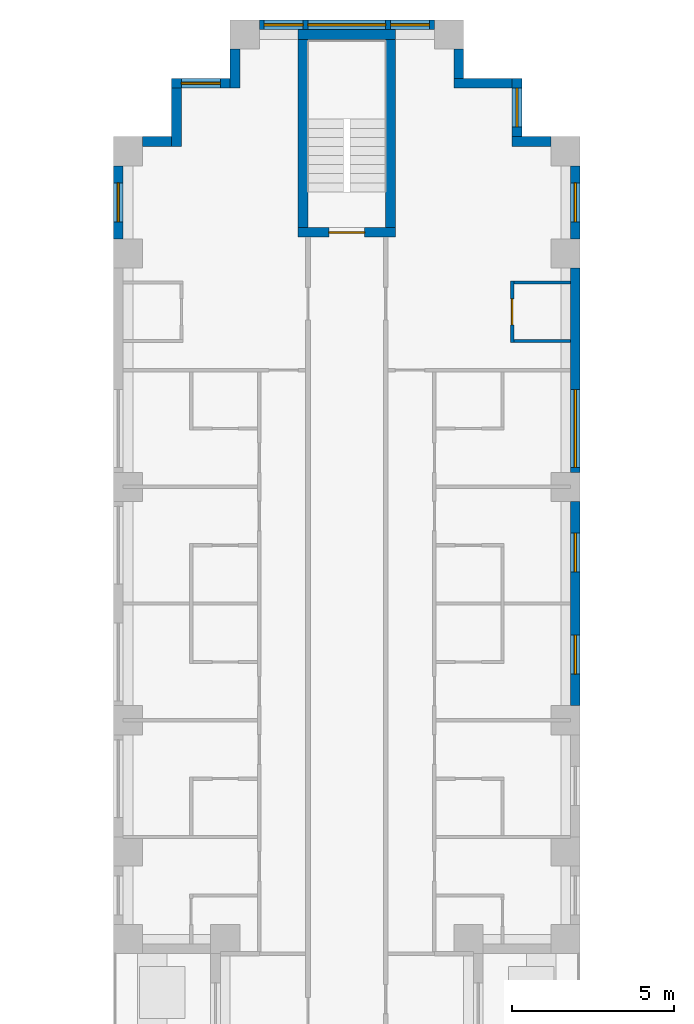
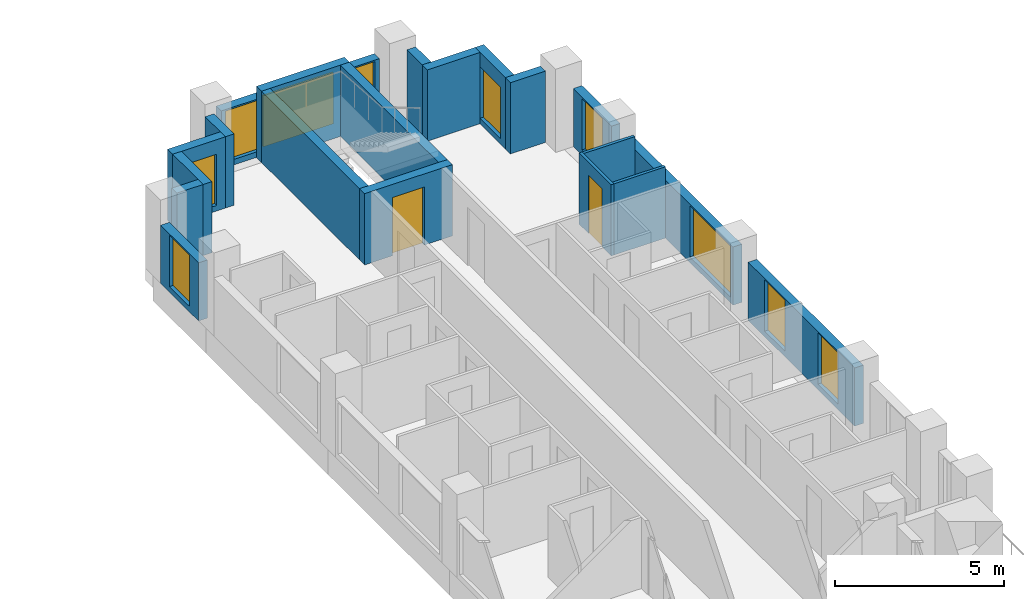
# One storey, part 12 of 15: 20 walls, 10 windows, 2 doors, 12 openings.
"""IFC4 building model written with IfcOpenShell, lengths in metres."""

from ifc_helpers import new_model, si_unit, direction, frame, frame_2d, origin, place, context, subcontext, project, spatial, rectangle, extrude, material, layer, layer_set, type_object, element, fill, save


model = new_model("IFC4")

# Units and contexts
model_context = context("Model", 3, precision=1e-05, world=origin(), true_north=direction((0.0, 1.0)))
body_context = subcontext(model_context, "Body", "Model", "MODEL_VIEW")
ifc_project = project(units=[si_unit("LENGTHUNIT", "METRE"), si_unit("AREAUNIT", "SQUARE_METRE"), si_unit("VOLUMEUNIT", "CUBIC_METRE"), si_unit("PLANEANGLEUNIT", "RADIAN"), si_unit("MASSUNIT", "GRAM", prefix="KILO")], contexts=[model_context])

# Site, building, storey
site_placement = place(None, origin())
site = spatial("IfcSite", under=ifc_project, at=site_placement, CompositionType="ELEMENT")
building_placement = place(site_placement, origin())
building = spatial("IfcBuilding", under=site, at=building_placement, Name="Fustian Cross Tower", CompositionType="ELEMENT")
storey_placement = place(building_placement, frame((0.0, 0.0, 17.699951171875)))
storey = spatial("IfcBuildingStorey", under=building, at=storey_placement, Name="L04", CompositionType="ELEMENT", Elevation=17.699951171875)

# Wall, opening, door
ifc_material_1 = material(Name="Plasterboard on steel stud", Category="steel")
ifc_layer_1 = layer(ifc_material_1, 0.10009765625)
ifc_layer_set_1 = layer_set([ifc_layer_1], Name="Plasterboard on steel stud")
wall_type_1 = type_object("IfcWallType", Name="PARTITION 100 STUD", PredefinedType="PARTITIONING", material=ifc_layer_set_1)
wall_1_placement = place(storey_placement, frame((5.10009765625, 33.25, 0.0), z_axis=(0.0, 0.0, 1.0), x_axis=(0.0, 1.0, 0.0)))
wall_1 = element("IfcWall", 1, at=wall_1_placement, inside=storey, type_object=wall_type_1, Name="Partition 95", PredefinedType="PARTITIONING", context=body_context, shape_type="SweptSolid", body=[
    extrude(rectangle(XDim=1.89990234375, YDim=0.10009765625, at=frame_2d((0.949951171875, 0.0))), origin(), (0.0, 0.0, 1.0), 2.574951171875),
])
opening_1_placement = place(wall_1_placement, frame((0.550048828125, 0.0, 0.0)))
opening_1 = element("IfcOpeningElement", 2, at=opening_1_placement, cuts=wall_1, Name="Opening D04035", PredefinedType="OPENING", context=body_context, shape_type="SweptSolid", body=[
    extrude(rectangle(XDim=0.800048828125, YDim=2.10009765625, at=frame_2d((0.39990234375, 1.050048828125))), frame((0.0, 0.06005859375, 0.0), z_axis=(0.0, -1.0, 0.0), x_axis=(1.0, 0.0, 0.0)), (0.0, 0.0, 1.0), 0.1201171875),
])
ifc_material_2 = material(Name="Painted timber", Category="wood")
door_type_1 = type_object("IfcDoorType", Name="SWING DOOR 800", OperationType="SINGLE_SWING_LEFT", PredefinedType="DOOR", material=ifc_material_2)
door_1_placement = place(opening_1_placement, frame((0.800048828125, 0.0, 0.0), z_axis=(0.0, 0.0, 1.0), x_axis=(-1.0, 0.0, 0.0)))
door_1 = element("IfcDoor", 3, at=door_1_placement, inside=storey, type_object=door_type_1, Name="Door D04035", OperationType="SINGLE_SWING_LEFT", OverallHeight=2.10009765625, OverallWidth=0.800048828125, PredefinedType="DOOR", context=body_context, shape_type="SweptSolid", body=[
    extrude(rectangle(XDim=0.800048828125, YDim=2.10009765625, at=frame_2d((0.39990234375, 1.050048828125))), frame((0.0, 0.02490234375, 0.0), z_axis=(0.0, -1.0, 0.0), x_axis=(1.0, 0.0, 0.0)), (0.0, 0.0, 1.0), 0.050048828125),
])
fill(opening_1, door_1)

# Walls
for number, where, z_axis, x_axis, name in (
    (4, (5.14990234375, 33.300048828125, 0.0), (0.0, 0.0, 1.0), (1.0, 0.0, 0.0), "Partition 96"),
    (5, (5.14990234375, 35.10009765625, 0.0), (0.0, 0.0, 1.0), (1.0, 0.0, 0.0), "Partition 97"),
):
    element("IfcWall", number, at=place(storey_placement, frame(where, z_axis=z_axis, x_axis=x_axis)), inside=storey, type_object=wall_type_1, Name=name, PredefinedType="PARTITIONING", context=body_context, shape_type="SweptSolid", body=[
        extrude(rectangle(XDim=1.75, YDim=0.10009765625, at=frame_2d((0.875, 0.0))), origin(), (0.0, 0.0, 1.0), 2.574951171875),
    ])

# Wall, opening, door
ifc_material_3 = material(Name="Concrete C50/60", Category="concrete")
ifc_layer_2 = layer(ifc_material_3, 0.300048828125)
ifc_layer_set_2 = layer_set([ifc_layer_2], Name="Concrete C50/60")
wall_type_2 = type_object("IfcWallType", Name="STAIR ENCLOSURE WALL 300 C50/60", PredefinedType="SHEAR", material=ifc_layer_set_2)
wall_2_placement = place(storey_placement, frame((-1.5, 36.64990234375, 0.0), z_axis=(0.0, 0.0, 1.0), x_axis=(1.0, 0.0, 0.0)))
wall_2 = element("IfcWall", 6, at=wall_2_placement, inside=storey, type_object=wall_type_2, Name="Stair enclosure wall", PredefinedType="SHEAR", context=body_context, shape_type="SweptSolid", body=[
    extrude(rectangle(XDim=3.0, YDim=0.300048828125, at=frame_2d((1.5, 0.0))), origin(), (0.0, 0.0, 1.0), 2.574951171875),
])
opening_2_placement = place(wall_2_placement, frame((0.949951171875, 0.0, 0.0)))
opening_2 = element("IfcOpeningElement", 7, at=opening_2_placement, cuts=wall_2, Name="Opening CD-04-29", PredefinedType="OPENING", context=body_context, shape_type="SweptSolid", body=[
    extrude(rectangle(XDim=1.10009765625, YDim=2.10009765625, at=frame_2d((0.550048828125, 1.050048828125))), frame((0.0, 0.159912109375, 0.0), z_axis=(0.0, -1.0, 0.0), x_axis=(1.0, 0.0, 0.0)), (0.0, 0.0, 1.0), 0.320068359375),
])
ifc_material_4 = material(Name="Steel", Category="steel")
door_type_2 = type_object("IfcDoorType", Name="FIRE DOOR FD60S 1100X2100", OperationType="SINGLE_SWING_LEFT", PredefinedType="DOOR", material=ifc_material_4)
door_2_placement = place(opening_2_placement, origin())
door_2 = element("IfcDoor", 8, at=door_2_placement, inside=storey, type_object=door_type_2, Name="Core door CD-04-29", OperationType="SINGLE_SWING_LEFT", OverallHeight=2.10009765625, OverallWidth=1.10009765625, PredefinedType="DOOR", context=body_context, shape_type="SweptSolid", body=[
    extrude(rectangle(XDim=1.10009765625, YDim=2.10009765625, at=frame_2d((0.550048828125, 1.050048828125))), frame((0.0, 0.02490234375, 0.0), z_axis=(0.0, -1.0, 0.0), x_axis=(1.0, 0.0, 0.0)), (0.0, 0.0, 1.0), 0.050048828125),
])
fill(opening_2, door_2)

# Walls
wall_3_placement = place(storey_placement, frame((-1.5, 42.75, 0.0), z_axis=(0.0, 0.0, 1.0), x_axis=(1.0, 0.0, 0.0)))
element("IfcWall", 9, at=wall_3_placement, inside=storey, type_object=wall_type_2, Name="Stair enclosure wall", PredefinedType="SHEAR", context=body_context, shape_type="SweptSolid", body=[
    extrude(rectangle(XDim=3.0, YDim=0.300048828125, at=frame_2d((1.5, 0.0))), origin(), (0.0, 0.0, 1.0), 2.574951171875),
])
for number, where, z_axis, x_axis, name in (
    (10, (-1.35009765625, 36.800048828125, 0.0), (0.0, 0.0, 1.0), (0.0, 1.0, 0.0), "Stair enclosure wall"),
    (11, (1.35009765625, 36.800048828125, 0.0), (0.0, 0.0, 1.0), (0.0, 1.0, 0.0), "Stair enclosure wall"),
):
    element("IfcWall", number, at=place(storey_placement, frame(where, z_axis=z_axis, x_axis=x_axis)), inside=storey, type_object=wall_type_2, Name=name, PredefinedType="SHEAR", context=body_context, shape_type="SweptSolid", body=[
        extrude(rectangle(XDim=5.800048828125, YDim=0.300048828125, at=frame_2d((2.89990234375, 0.0))), origin(), (0.0, 0.0, 1.0), 2.574951171875),
    ])

# Wall, openings, windows
ifc_material_5 = material(Name="Dark aluminium cladding on insulated backing wall", Category="aluminium")
ifc_layer_3 = layer(ifc_material_5, 0.300048828125)
ifc_layer_set_3 = layer_set([ifc_layer_3], Name="Dark aluminium cladding on insulated backing wall")
wall_type_3 = type_object("IfcWallType", Name="XW1 EXTERNAL WALL 300", PredefinedType="SOLIDWALL", material=ifc_layer_set_3)
wall_4_placement = place(storey_placement, frame((7.050048828125, 22.050048828125, 0.0), z_axis=(0.0, 0.0, 1.0), x_axis=(0.0, 1.0, 0.0)))
wall_4 = element("IfcWall", 12, at=wall_4_placement, inside=storey, type_object=wall_type_3, Name="External wall", PredefinedType="SOLIDWALL", context=body_context, shape_type="SweptSolid", body=[
    extrude(rectangle(XDim=6.300048828125, YDim=0.300048828125, at=frame_2d((3.14990234375, 0.0))), origin(), (0.0, 0.0, 1.0), 2.10009765625),
])
opening_3_placement = place(wall_4_placement, frame((0.97509765625, 0.0, 0.199951171875)))
opening_3 = element("IfcOpeningElement", 13, at=opening_3_placement, cuts=wall_4, Name="Opening WN3", PredefinedType="OPENING", context=body_context, shape_type="SweptSolid", body=[
    extrude(rectangle(XDim=1.199951171875, YDim=1.85009765625, at=frame_2d((0.60009765625, 0.925048828125))), frame((0.0, 0.159912109375, 0.0), z_axis=(0.0, -1.0, 0.0), x_axis=(1.0, 0.0, 0.0)), (0.0, 0.0, 1.0), 0.320068359375),
])
opening_4_placement = place(wall_4_placement, frame((4.125, 0.0, 0.199951171875)))
opening_4 = element("IfcOpeningElement", 14, at=opening_4_placement, cuts=wall_4, Name="Opening WN3", PredefinedType="OPENING", context=body_context, shape_type="SweptSolid", body=[
    extrude(rectangle(XDim=1.199951171875, YDim=1.85009765625, at=frame_2d((0.60009765625, 0.925048828125))), frame((0.0, 0.159912109375, 0.0), z_axis=(0.0, -1.0, 0.0), x_axis=(1.0, 0.0, 0.0)), (0.0, 0.0, 1.0), 0.320068359375),
])
ifc_material_6 = material(Name="Dark anodised aluminium and double glazing", Category="aluminium")
window_type_1 = type_object("IfcWindowType", Name="WN3 WINDOW 1200X1850", PartitioningType="SINGLE_PANEL", PredefinedType="WINDOW", material=ifc_material_6)
window_1_placement = place(opening_3_placement, origin())
window_1 = element("IfcWindow", 15, at=window_1_placement, inside=storey, type_object=window_type_1, Name="Window", OverallHeight=1.85009765625, OverallWidth=1.199951171875, PartitioningType="SINGLE_PANEL", PredefinedType="WINDOW", context=body_context, shape_type="SweptSolid", body=[
    extrude(rectangle(XDim=1.199951171875, YDim=1.85009765625, at=frame_2d((0.60009765625, 0.925048828125))), frame((0.0, 0.030029296875, 0.0), z_axis=(0.0, -1.0, 0.0), x_axis=(1.0, 0.0, 0.0)), (0.0, 0.0, 1.0), 0.06005859375),
])
fill(opening_3, window_1)
window_2_placement = place(opening_4_placement, origin())
window_2 = element("IfcWindow", 16, at=window_2_placement, inside=storey, type_object=window_type_1, Name="Window", OverallHeight=1.85009765625, OverallWidth=1.199951171875, PartitioningType="SINGLE_PANEL", PredefinedType="WINDOW", context=body_context, shape_type="SweptSolid", body=[
    extrude(rectangle(XDim=1.199951171875, YDim=1.85009765625, at=frame_2d((0.60009765625, 0.925048828125))), frame((0.0, 0.030029296875, 0.0), z_axis=(0.0, -1.0, 0.0), x_axis=(1.0, 0.0, 0.0)), (0.0, 0.0, 1.0), 0.06005859375),
])
fill(opening_4, window_2)

# Wall, opening, window
wall_5_placement = place(storey_placement, frame((7.050048828125, 29.25, 0.0), z_axis=(0.0, 0.0, 1.0), x_axis=(0.0, 1.0, 0.0)))
wall_5 = element("IfcWall", 17, at=wall_5_placement, inside=storey, type_object=wall_type_3, Name="External wall", PredefinedType="SOLIDWALL", context=body_context, shape_type="SweptSolid", body=[
    extrude(rectangle(XDim=6.300048828125, YDim=0.300048828125, at=frame_2d((3.14990234375, 0.0))), origin(), (0.0, 0.0, 1.0), 2.10009765625),
])
opening_5_placement = place(wall_5_placement, frame((0.14990234375, 0.0, 0.199951171875)))
opening_5 = element("IfcOpeningElement", 18, at=opening_5_placement, cuts=wall_5, Name="Opening WN1", PredefinedType="OPENING", context=body_context, shape_type="SweptSolid", body=[
    extrude(rectangle(XDim=2.39990234375, YDim=1.85009765625, at=frame_2d((1.199951171875, 0.925048828125))), frame((0.0, 0.159912109375, 0.0), z_axis=(0.0, -1.0, 0.0), x_axis=(1.0, 0.0, 0.0)), (0.0, 0.0, 1.0), 0.320068359375),
])
ifc_material_7 = material(Name="Dark anodised aluminium and double glazing", Category="aluminium")
window_type_2 = type_object("IfcWindowType", Name="WN1 WINDOW 2400X1850", PartitioningType="SINGLE_PANEL", PredefinedType="WINDOW", material=ifc_material_7)
window_3_placement = place(opening_5_placement, origin())
window_3 = element("IfcWindow", 19, at=window_3_placement, inside=storey, type_object=window_type_2, Name="Window", OverallHeight=1.85009765625, OverallWidth=2.39990234375, PartitioningType="SINGLE_PANEL", PredefinedType="WINDOW", context=body_context, shape_type="SweptSolid", body=[
    extrude(rectangle(XDim=2.39990234375, YDim=1.85009765625, at=frame_2d((1.199951171875, 0.925048828125))), frame((0.0, 0.030029296875, 0.0), z_axis=(0.0, -1.0, 0.0), x_axis=(1.0, 0.0, 0.0)), (0.0, 0.0, 1.0), 0.06005859375),
])
fill(opening_5, window_3)

wall_6_placement = place(storey_placement, frame((7.050048828125, 36.449951171875, 0.0), z_axis=(0.0, 0.0, 1.0), x_axis=(0.0, 1.0, 0.0)))
wall_6 = element("IfcWall", 20, at=wall_6_placement, inside=storey, type_object=wall_type_3, Name="External wall", PredefinedType="SOLIDWALL", context=body_context, shape_type="SweptSolid", body=[
    extrude(rectangle(XDim=2.25, YDim=0.300048828125, at=frame_2d((1.125, 0.0))), origin(), (0.0, 0.0, 1.0), 2.10009765625),
])
opening_6_placement = place(wall_6_placement, frame((0.52490234375, 0.0, 0.199951171875)))
opening_6 = element("IfcOpeningElement", 21, at=opening_6_placement, cuts=wall_6, Name="Opening WN3", PredefinedType="OPENING", context=body_context, shape_type="SweptSolid", body=[
    extrude(rectangle(XDim=1.199951171875, YDim=1.85009765625, at=frame_2d((0.60009765625, 0.925048828125))), frame((0.0, 0.159912109375, 0.0), z_axis=(0.0, -1.0, 0.0), x_axis=(1.0, 0.0, 0.0)), (0.0, 0.0, 1.0), 0.320068359375),
])
window_4_placement = place(opening_6_placement, origin())
window_4 = element("IfcWindow", 22, at=window_4_placement, inside=storey, type_object=window_type_1, Name="Window", OverallHeight=1.85009765625, OverallWidth=1.199951171875, PartitioningType="SINGLE_PANEL", PredefinedType="WINDOW", context=body_context, shape_type="SweptSolid", body=[
    extrude(rectangle(XDim=1.199951171875, YDim=1.85009765625, at=frame_2d((0.60009765625, 0.925048828125))), frame((0.0, 0.030029296875, 0.0), z_axis=(0.0, -1.0, 0.0), x_axis=(1.0, 0.0, 0.0)), (0.0, 0.0, 1.0), 0.06005859375),
])
fill(opening_6, window_4)

# Wall
wall_7_placement = place(storey_placement, frame((6.300048828125, 39.449951171875, 0.0), z_axis=(0.0, 0.0, 1.0), x_axis=(-1.0, 0.0, 0.0)))
element("IfcWall", 23, at=wall_7_placement, inside=storey, type_object=wall_type_3, Name="External wall", PredefinedType="SOLIDWALL", context=body_context, shape_type="SweptSolid", body=[
    extrude(rectangle(XDim=1.199951171875, YDim=0.300048828125, at=frame_2d((0.60009765625, 0.0))), origin(), (0.0, 0.0, 1.0), 2.574951171875),
])

# Wall, opening, window
wall_8_placement = place(storey_placement, frame((5.25, 39.60009765625, 0.0), z_axis=(0.0, 0.0, 1.0), x_axis=(0.0, 1.0, 0.0)))
wall_8 = element("IfcWall", 24, at=wall_8_placement, inside=storey, type_object=wall_type_3, Name="External wall", PredefinedType="SOLIDWALL", context=body_context, shape_type="SweptSolid", body=[
    extrude(rectangle(XDim=1.7998046875, YDim=0.300048828125, at=frame_2d((0.89990234375, 0.0))), origin(), (0.0, 0.0, 1.0), 2.574951171875),
])
opening_7_placement = place(wall_8_placement, frame((0.300048828125, 0.0, 0.199951171875)))
opening_7 = element("IfcOpeningElement", 25, at=opening_7_placement, cuts=wall_8, Name="Opening WN3", PredefinedType="OPENING", context=body_context, shape_type="SweptSolid", body=[
    extrude(rectangle(XDim=1.199951171875, YDim=1.85009765625, at=frame_2d((0.60009765625, 0.925048828125))), frame((0.0, 0.159912109375, 0.0), z_axis=(0.0, -1.0, 0.0), x_axis=(1.0, 0.0, 0.0)), (0.0, 0.0, 1.0), 0.320068359375),
])
window_5_placement = place(opening_7_placement, origin())
window_5 = element("IfcWindow", 26, at=window_5_placement, inside=storey, type_object=window_type_1, Name="Window", OverallHeight=1.85009765625, OverallWidth=1.199951171875, PartitioningType="SINGLE_PANEL", PredefinedType="WINDOW", context=body_context, shape_type="SweptSolid", body=[
    extrude(rectangle(XDim=1.199951171875, YDim=1.85009765625, at=frame_2d((0.60009765625, 0.925048828125))), frame((0.0, 0.030029296875, 0.0), z_axis=(0.0, -1.0, 0.0), x_axis=(1.0, 0.0, 0.0)), (0.0, 0.0, 1.0), 0.06005859375),
])
fill(opening_7, window_5)

# Walls
wall_9_placement = place(storey_placement, frame((5.10009765625, 41.25, 0.0), z_axis=(0.0, 0.0, 1.0), x_axis=(-1.0, 0.0, 0.0)))
element("IfcWall", 27, at=wall_9_placement, inside=storey, type_object=wall_type_3, Name="External wall", PredefinedType="SOLIDWALL", context=body_context, shape_type="SweptSolid", body=[
    extrude(rectangle(XDim=1.800048828125, YDim=0.300048828125, at=frame_2d((0.89990234375, 0.0))), origin(), (0.0, 0.0, 1.0), 2.574951171875),
])
wall_10_placement = place(storey_placement, frame((3.449951171875, 41.39990234375, 0.0), z_axis=(0.0, 0.0, 1.0), x_axis=(0.0, 1.0, 0.0)))
element("IfcWall", 28, at=wall_10_placement, inside=storey, type_object=wall_type_3, Name="External wall", PredefinedType="SOLIDWALL", context=body_context, shape_type="SweptSolid", body=[
    extrude(rectangle(XDim=0.900146484375, YDim=0.300048828125, at=frame_2d((0.4501953125, 0.0))), origin(), (0.0, 0.0, 1.0), 2.574951171875),
])

# Wall, openings, windows
wall_11_placement = place(storey_placement, frame((2.699951171875, 43.050048828125, 0.0), z_axis=(0.0, 0.0, 1.0), x_axis=(-1.0, 0.0, 0.0)))
wall_11 = element("IfcWall", 29, at=wall_11_placement, inside=storey, type_object=wall_type_3, Name="External wall", PredefinedType="SOLIDWALL", context=body_context, shape_type="SweptSolid", body=[
    extrude(rectangle(XDim=5.39990234375, YDim=0.300048828125, at=frame_2d((2.699951171875, 0.0))), origin(), (0.0, 0.0, 1.0), 2.10009765625),
])
opening_8_placement = place(wall_11_placement, frame((1.5, 0.0, 0.199951171875)))
opening_8 = element("IfcOpeningElement", 30, at=opening_8_placement, cuts=wall_11, Name="Opening WN1", PredefinedType="OPENING", context=body_context, shape_type="SweptSolid", body=[
    extrude(rectangle(XDim=2.39990234375, YDim=1.85009765625, at=frame_2d((1.199951171875, 0.925048828125))), frame((0.0, 0.159912109375, 0.0), z_axis=(0.0, -1.0, 0.0), x_axis=(1.0, 0.0, 0.0)), (0.0, 0.0, 1.0), 0.320068359375),
])
opening_9_placement = place(wall_11_placement, frame((0.14990234375, 0.0, 0.199951171875)))
opening_9 = element("IfcOpeningElement", 31, at=opening_9_placement, cuts=wall_11, Name="Opening WN3", PredefinedType="OPENING", context=body_context, shape_type="SweptSolid", body=[
    extrude(rectangle(XDim=1.199951171875, YDim=1.85009765625, at=frame_2d((0.60009765625, 0.925048828125))), frame((0.0, 0.159912109375, 0.0), z_axis=(0.0, -1.0, 0.0), x_axis=(1.0, 0.0, 0.0)), (0.0, 0.0, 1.0), 0.320068359375),
])
opening_10_placement = place(wall_11_placement, frame((4.050048828125, 0.0, 0.199951171875)))
opening_10 = element("IfcOpeningElement", 32, at=opening_10_placement, cuts=wall_11, Name="Opening WN3", PredefinedType="OPENING", context=body_context, shape_type="SweptSolid", body=[
    extrude(rectangle(XDim=1.199951171875, YDim=1.85009765625, at=frame_2d((0.60009765625, 0.925048828125))), frame((0.0, 0.159912109375, 0.0), z_axis=(0.0, -1.0, 0.0), x_axis=(1.0, 0.0, 0.0)), (0.0, 0.0, 1.0), 0.320068359375),
])
window_6_placement = place(opening_8_placement, origin())
window_6 = element("IfcWindow", 33, at=window_6_placement, inside=storey, type_object=window_type_2, Name="Window", OverallHeight=1.85009765625, OverallWidth=2.39990234375, PartitioningType="SINGLE_PANEL", PredefinedType="WINDOW", context=body_context, shape_type="SweptSolid", body=[
    extrude(rectangle(XDim=2.39990234375, YDim=1.85009765625, at=frame_2d((1.199951171875, 0.925048828125))), frame((0.0, 0.030029296875, 0.0), z_axis=(0.0, -1.0, 0.0), x_axis=(1.0, 0.0, 0.0)), (0.0, 0.0, 1.0), 0.06005859375),
])
fill(opening_8, window_6)
window_7_placement = place(opening_9_placement, origin())
window_7 = element("IfcWindow", 34, at=window_7_placement, inside=storey, type_object=window_type_1, Name="Window", OverallHeight=1.85009765625, OverallWidth=1.199951171875, PartitioningType="SINGLE_PANEL", PredefinedType="WINDOW", context=body_context, shape_type="SweptSolid", body=[
    extrude(rectangle(XDim=1.199951171875, YDim=1.85009765625, at=frame_2d((0.60009765625, 0.925048828125))), frame((0.0, 0.030029296875, 0.0), z_axis=(0.0, -1.0, 0.0), x_axis=(1.0, 0.0, 0.0)), (0.0, 0.0, 1.0), 0.06005859375),
])
fill(opening_9, window_7)
window_8_placement = place(opening_10_placement, origin())
window_8 = element("IfcWindow", 35, at=window_8_placement, inside=storey, type_object=window_type_1, Name="Window", OverallHeight=1.85009765625, OverallWidth=1.199951171875, PartitioningType="SINGLE_PANEL", PredefinedType="WINDOW", context=body_context, shape_type="SweptSolid", body=[
    extrude(rectangle(XDim=1.199951171875, YDim=1.85009765625, at=frame_2d((0.60009765625, 0.925048828125))), frame((0.0, 0.030029296875, 0.0), z_axis=(0.0, -1.0, 0.0), x_axis=(1.0, 0.0, 0.0)), (0.0, 0.0, 1.0), 0.06005859375),
])
fill(opening_10, window_8)

# Wall
wall_12_placement = place(storey_placement, frame((-3.449951171875, 42.300048828125, 0.0), z_axis=(0.0, 0.0, 1.0), x_axis=(0.0, -1.0, 0.0)))
element("IfcWall", 36, at=wall_12_placement, inside=storey, type_object=wall_type_3, Name="External wall", PredefinedType="SOLIDWALL", context=body_context, shape_type="SweptSolid", body=[
    extrude(rectangle(XDim=1.199951171875, YDim=0.300048828125, at=frame_2d((0.60009765625, 0.0))), origin(), (0.0, 0.0, 1.0), 2.574951171875),
])

# Wall, opening, window
wall_13_placement = place(storey_placement, frame((-3.60009765625, 41.25, 0.0), z_axis=(0.0, 0.0, 1.0), x_axis=(-1.0, 0.0, 0.0)))
wall_13 = element("IfcWall", 37, at=wall_13_placement, inside=storey, type_object=wall_type_3, Name="External wall", PredefinedType="SOLIDWALL", context=body_context, shape_type="SweptSolid", body=[
    extrude(rectangle(XDim=1.7998046875, YDim=0.300048828125, at=frame_2d((0.89990234375, 0.0))), origin(), (0.0, 0.0, 1.0), 2.574951171875),
])
opening_11_placement = place(wall_13_placement, frame((0.300048828125, 0.0, 0.199951171875)))
opening_11 = element("IfcOpeningElement", 38, at=opening_11_placement, cuts=wall_13, Name="Opening WN3", PredefinedType="OPENING", context=body_context, shape_type="SweptSolid", body=[
    extrude(rectangle(XDim=1.199951171875, YDim=1.85009765625, at=frame_2d((0.60009765625, 0.925048828125))), frame((0.0, 0.159912109375, 0.0), z_axis=(0.0, -1.0, 0.0), x_axis=(1.0, 0.0, 0.0)), (0.0, 0.0, 1.0), 0.320068359375),
])
window_9_placement = place(opening_11_placement, origin())
window_9 = element("IfcWindow", 39, at=window_9_placement, inside=storey, type_object=window_type_1, Name="Window", OverallHeight=1.85009765625, OverallWidth=1.199951171875, PartitioningType="SINGLE_PANEL", PredefinedType="WINDOW", context=body_context, shape_type="SweptSolid", body=[
    extrude(rectangle(XDim=1.199951171875, YDim=1.85009765625, at=frame_2d((0.60009765625, 0.925048828125))), frame((0.0, 0.030029296875, 0.0), z_axis=(0.0, -1.0, 0.0), x_axis=(1.0, 0.0, 0.0)), (0.0, 0.0, 1.0), 0.06005859375),
])
fill(opening_11, window_9)

# Walls
wall_14_placement = place(storey_placement, frame((-5.25, 41.10009765625, 0.0), z_axis=(0.0, 0.0, 1.0), x_axis=(0.0, -1.0, 0.0)))
element("IfcWall", 40, at=wall_14_placement, inside=storey, type_object=wall_type_3, Name="External wall", PredefinedType="SOLIDWALL", context=body_context, shape_type="SweptSolid", body=[
    extrude(rectangle(XDim=1.800048828125, YDim=0.300048828125, at=frame_2d((0.89990234375, 0.0))), origin(), (0.0, 0.0, 1.0), 2.574951171875),
])
wall_15_placement = place(storey_placement, frame((-5.39990234375, 39.449951171875, 0.0), z_axis=(0.0, 0.0, 1.0), x_axis=(-1.0, 0.0, 0.0)))
element("IfcWall", 41, at=wall_15_placement, inside=storey, type_object=wall_type_3, Name="External wall", PredefinedType="SOLIDWALL", context=body_context, shape_type="SweptSolid", body=[
    extrude(rectangle(XDim=0.900146484375, YDim=0.300048828125, at=frame_2d((0.4501953125, 0.0))), origin(), (0.0, 0.0, 1.0), 2.574951171875),
])

# Wall, opening, window
wall_16_placement = place(storey_placement, frame((-7.050048828125, 38.699951171875, 0.0), z_axis=(0.0, 0.0, 1.0), x_axis=(0.0, -1.0, 0.0)))
wall_16 = element("IfcWall", 42, at=wall_16_placement, inside=storey, type_object=wall_type_3, Name="External wall", PredefinedType="SOLIDWALL", context=body_context, shape_type="SweptSolid", body=[
    extrude(rectangle(XDim=2.25, YDim=0.300048828125, at=frame_2d((1.125, 0.0))), origin(), (0.0, 0.0, 1.0), 2.10009765625),
])
opening_12_placement = place(wall_16_placement, frame((0.52490234375, 0.0, 0.199951171875)))
opening_12 = element("IfcOpeningElement", 43, at=opening_12_placement, cuts=wall_16, Name="Opening WN3", PredefinedType="OPENING", context=body_context, shape_type="SweptSolid", body=[
    extrude(rectangle(XDim=1.199951171875, YDim=1.85009765625, at=frame_2d((0.60009765625, 0.925048828125))), frame((0.0, 0.159912109375, 0.0), z_axis=(0.0, -1.0, 0.0), x_axis=(1.0, 0.0, 0.0)), (0.0, 0.0, 1.0), 0.320068359375),
])
window_10_placement = place(opening_12_placement, origin())
window_10 = element("IfcWindow", 44, at=window_10_placement, inside=storey, type_object=window_type_1, Name="Window", OverallHeight=1.85009765625, OverallWidth=1.199951171875, PartitioningType="SINGLE_PANEL", PredefinedType="WINDOW", context=body_context, shape_type="SweptSolid", body=[
    extrude(rectangle(XDim=1.199951171875, YDim=1.85009765625, at=frame_2d((0.60009765625, 0.925048828125))), frame((0.0, 0.030029296875, 0.0), z_axis=(0.0, -1.0, 0.0), x_axis=(1.0, 0.0, 0.0)), (0.0, 0.0, 1.0), 0.06005859375),
])
fill(opening_12, window_10)

save(model, "model.ifc")
